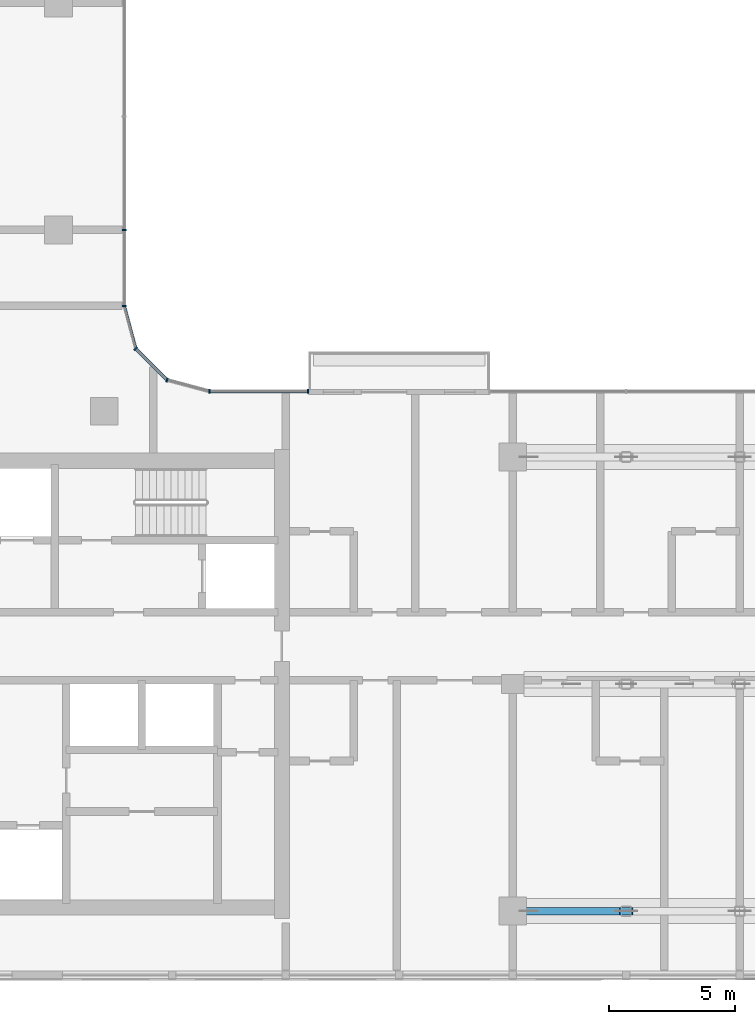
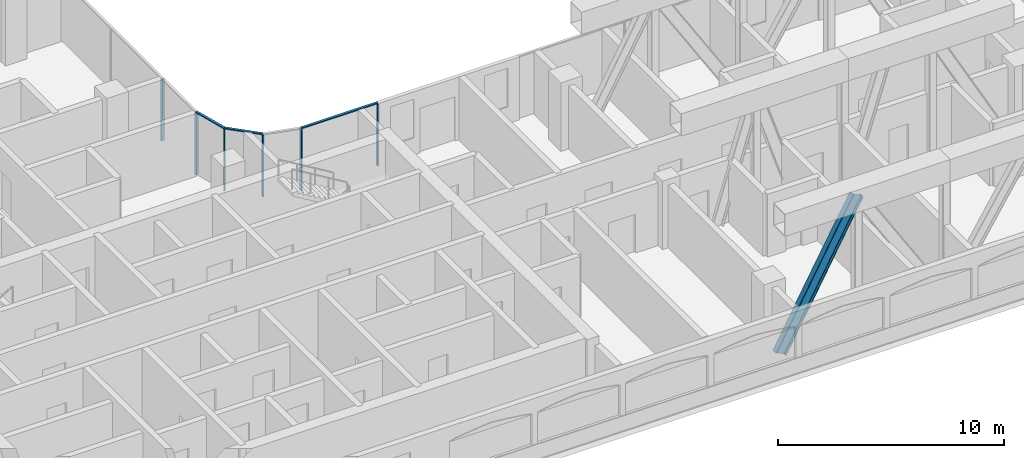
# One storey, part 2 of 25: 10 members, 3 elements without a shape of their own.
"""IFC4 building model written with IfcOpenShell, lengths in metres."""

from ifc_helpers import new_model, si_unit, direction, frame, origin, origin_2d, place, context, subcontext, project, spatial, rectangle, i_section, extrude, material, material_profile, profile_set, type_object, element, aggregate, save


model = new_model("IFC4")

# Units and contexts
model_context = context("Model", 3, precision=1e-05, world=origin(), true_north=direction((0.0, 1.0)))
body_context = subcontext(model_context, "Body", "Model", "MODEL_VIEW")
ifc_project = project(units=[si_unit("LENGTHUNIT", "METRE"), si_unit("AREAUNIT", "SQUARE_METRE"), si_unit("VOLUMEUNIT", "CUBIC_METRE"), si_unit("PLANEANGLEUNIT", "RADIAN"), si_unit("MASSUNIT", "GRAM", prefix="KILO")], contexts=[model_context])

# Site, building, storey
site_placement = place(None, origin())
site = spatial("IfcSite", under=ifc_project, at=site_placement, CompositionType="ELEMENT")
building_placement = place(site_placement, origin())
building = spatial("IfcBuilding", under=site, at=building_placement, Name="Ogive Portal Towers", CompositionType="ELEMENT")
storey_placement = place(building_placement, frame((0.0, 0.0, 182.89990234375)))
storey = spatial("IfcBuildingStorey", under=building, at=storey_placement, Name="L45", CompositionType="ELEMENT", Elevation=182.89990234375)

# Member
ifc_material_1 = material(Name="Steel S355", Category="steel")
ifc_material_profile_1 = material_profile(ifc_material_1, i_section(OverallWidth=0.300048828125, OverallDepth=0.60009765625, WebThickness=0.015380859375, FlangeThickness=0.030029296875, FilletRadius=0.027099609375, at=origin_2d()), Name="HEB 600")
ifc_profile_set_1 = profile_set([ifc_material_profile_1], Name="Steel S355")
member_type_1 = type_object("IfcMemberType", Name="BRACE HEB 600", PredefinedType="BRACE", material=ifc_profile_set_1)
member_1_placement = place(storey_placement, frame((68.050048828125, 21.5, -0.706787109375), z_axis=(0.480630732962, 0.0, 0.87692308587), x_axis=(0.0, 1.0, 0.0)))
element("IfcMember", 1, at=member_1_placement, inside=storey, type_object=member_type_1, Name="Lintel truss diagonal", PredefinedType="BRACE", context=body_context, shape_type="SweptSolid", body=[
    extrude(i_section(OverallWidth=0.300048828125, OverallDepth=0.60009765625, WebThickness=0.015380859375, FlangeThickness=0.030029296875, FilletRadius=0.027099609375, at=origin_2d()), origin(), (0.0, 0.0, 1.0), 8.21826171875),
])

# Curtain wall, members
ifc_material_2 = material(Name="Glass, clear low-iron insulated glazing", Category="glass")
curtain_wall_type = type_object("IfcCurtainWallType", Name="CW FRONT RIBBON 4500", PredefinedType="NOTDEFINED", material=ifc_material_2)
curtain_wall_1_placement = place(storey_placement, origin())
curtain_wall_1 = element("IfcCurtainWall", 2, at=curtain_wall_1_placement, inside=storey, type_object=curtain_wall_type, Name="A:L45:f16:cw2", PredefinedType="NOTDEFINED")
ifc_material_3 = material(Name="Aluminium 6063 anodised", Category="aluminium")
ifc_material_profile_2 = material_profile(ifc_material_3, rectangle(XDim=0.159912109375, YDim=0.06005859375, at=origin_2d()), Name="AL 60x160")
ifc_profile_set_2 = profile_set([ifc_material_profile_2], Name="Aluminium 6063 anodised")
member_type_2 = type_object("IfcMemberType", Name="CW MULLION 60x160", PredefinedType="MULLION", material=ifc_profile_set_2)
member_2_placement = place(storey_placement, frame((59.389892578125, 42.10009765625, 0.0), z_axis=(0.0, 0.0, 1.0), x_axis=(0.0, -1.0, 0.0)))
member_2 = element("IfcMember", 3, at=member_2_placement, type_object=member_type_2, Name="mullion", PredefinedType="MULLION", context=body_context, shape_type="SweptSolid", body=[
    extrude(rectangle(XDim=0.159912109375, YDim=0.06005859375, at=origin_2d()), origin(), (0.0, 0.0, 1.0), 3.340087890625),
])
member_3_placement = place(storey_placement, frame((55.489501953125, 42.10009765625, 0.0), z_axis=(0.0, 0.0, 1.0), x_axis=(0.0, -1.0, 0.0)))
member_3 = element("IfcMember", 4, at=member_3_placement, type_object=member_type_2, Name="mullion", PredefinedType="MULLION", context=body_context, shape_type="SweptSolid", body=[
    extrude(rectangle(XDim=0.159912109375, YDim=0.06005859375, at=origin_2d()), origin(), (0.0, 0.0, 1.0), 3.340087890625),
])

curtain_wall_2_placement = place(storey_placement, origin())
curtain_wall_2 = element("IfcCurtainWall", 5, at=curtain_wall_2_placement, inside=storey, type_object=curtain_wall_type, Name="A:L45:f20:cw0", PredefinedType="NOTDEFINED")
member_4_placement = place(storey_placement, frame((52.10009765625, 45.489501953125, 0.0), z_axis=(0.0, 0.0, 1.0), x_axis=(-1.0, 0.0, 0.0)))
member_4 = element("IfcMember", 6, at=member_4_placement, type_object=member_type_2, Name="mullion", PredefinedType="MULLION", context=body_context, shape_type="SweptSolid", body=[
    extrude(rectangle(XDim=0.159912109375, YDim=0.06005859375, at=origin_2d()), origin(), (0.0, 0.0, 1.0), 3.340087890625),
])
member_5_placement = place(storey_placement, frame((52.10009765625, 48.5, 0.0), z_axis=(0.0, 0.0, 1.0), x_axis=(-1.0, 0.0, 0.0)))
member_5 = element("IfcMember", 7, at=member_5_placement, type_object=member_type_2, Name="mullion", PredefinedType="MULLION", context=body_context, shape_type="SweptSolid", body=[
    extrude(rectangle(XDim=0.159912109375, YDim=0.06005859375, at=origin_2d()), origin(), (0.0, 0.0, 1.0), 3.340087890625),
])
aggregate(curtain_wall_2, [member_4, member_5])

curtain_wall_3_placement = place(storey_placement, origin())
curtain_wall_3 = element("IfcCurtainWall", 8, at=curtain_wall_3_placement, inside=storey, type_object=curtain_wall_type, Name="A:L45:f17:cwa", PredefinedType="NOTDEFINED")
member_6_placement = place(storey_placement, frame((53.798583984375, 42.552978515625, 0.0), z_axis=(0.0, 0.0, 1.0), x_axis=(-0.258819045103, -0.965925826289, 0.0)))
member_6 = element("IfcMember", 9, at=member_6_placement, type_object=member_type_2, Name="mullion", PredefinedType="MULLION", context=body_context, shape_type="SweptSolid", body=[
    extrude(rectangle(XDim=0.159912109375, YDim=0.06005859375, at=origin_2d()), origin(), (0.0, 0.0, 1.0), 3.340087890625),
])
member_7_placement = place(storey_placement, frame((52.552978515625, 43.798583984375, 0.0), z_axis=(0.0, 0.0, 1.0), x_axis=(-0.707106781187, -0.707106781187, 0.0)))
member_7 = element("IfcMember", 10, at=member_7_placement, type_object=member_type_2, Name="mullion", PredefinedType="MULLION", context=body_context, shape_type="SweptSolid", body=[
    extrude(rectangle(XDim=0.159912109375, YDim=0.06005859375, at=origin_2d()), origin(), (0.0, 0.0, 1.0), 3.340087890625),
])

# Member
ifc_material_profile_3 = material_profile(ifc_material_3, rectangle(XDim=0.1201171875, YDim=0.06005859375, at=origin_2d()), Name="AL 120x60")
ifc_profile_set_3 = profile_set([ifc_material_profile_3], Name="Aluminium 6063 anodised")
member_type_3 = type_object("IfcMemberType", Name="CW TRANSOM 60x120", PredefinedType="USERDEFINED", material=ifc_profile_set_3)
member_8_placement = place(storey_placement, frame((59.389892578125, 42.10009765625, 3.3701171875), z_axis=(-1.0, 0.0, 0.0), x_axis=(0.0, -1.0, 0.0)))
member_8 = element("IfcMember", 11, at=member_8_placement, type_object=member_type_3, Name="transom", ObjectType="TRANSOM", PredefinedType="USERDEFINED", context=body_context, shape_type="SweptSolid", body=[
    extrude(rectangle(XDim=0.1201171875, YDim=0.06005859375, at=origin_2d()), origin(), (0.0, 0.0, 1.0), 3.900390625),
])

aggregate(curtain_wall_1, [member_8, member_2, member_3])

member_9_placement = place(storey_placement, frame((53.798583984375, 42.552978515625, 3.3701171875), z_axis=(-0.707106781187, 0.707106781187, 0.0), x_axis=(-0.707106781187, -0.707106781187, 0.0)))
member_9 = element("IfcMember", 12, at=member_9_placement, type_object=member_type_3, Name="transom", ObjectType="TRANSOM", PredefinedType="USERDEFINED", context=body_context, shape_type="SweptSolid", body=[
    extrude(rectangle(XDim=0.1201171875, YDim=0.06005859375, at=origin_2d()), origin(), (0.0, 0.0, 1.0), 1.761474609375),
])

member_10_placement = place(storey_placement, frame((52.552978515625, 43.798583984375, 3.3701171875), z_axis=(-0.258712847425, 0.965954275614, 0.0), x_axis=(-0.965954275614, -0.258712847425, 0.0)))
member_10 = element("IfcMember", 13, at=member_10_placement, type_object=member_type_3, Name="transom", ObjectType="TRANSOM", PredefinedType="USERDEFINED", context=body_context, shape_type="SweptSolid", body=[
    extrude(rectangle(XDim=0.1201171875, YDim=0.06005859375, at=origin_2d()), origin(), (0.0, 0.0, 1.0), 1.75048828125),
])

aggregate(curtain_wall_3, [member_9, member_10, member_6, member_7])

save(model, "model.ifc")
